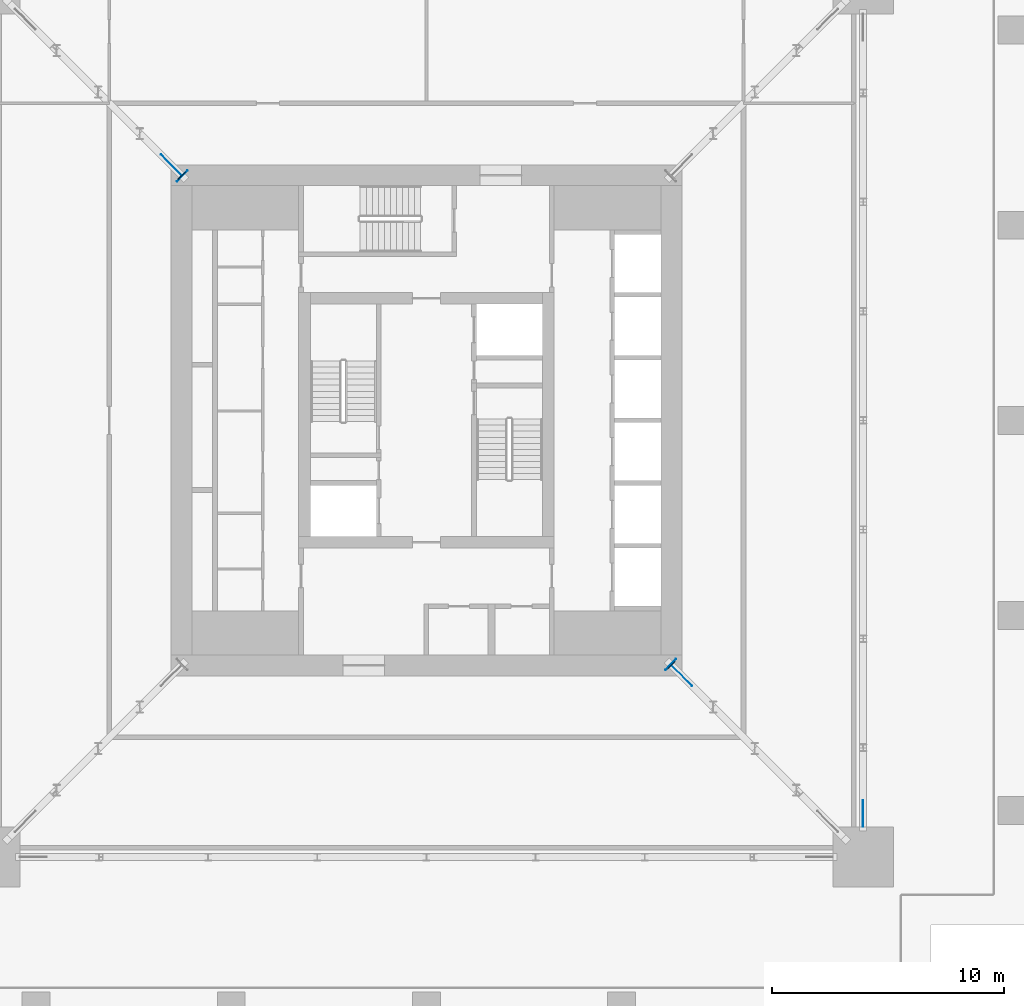
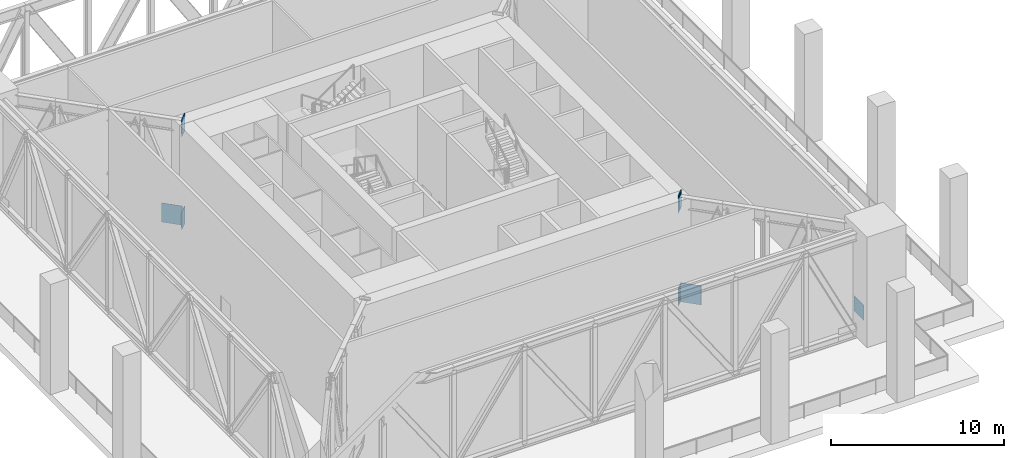
# One storey, part 8 of 17: 11 plates.
"""IFC4 building model written with IfcOpenShell, lengths in metres."""

from ifc_helpers import new_model, si_unit, direction, frame, origin, origin_2d, place, context, subcontext, project, spatial, rectangle, extrude, material, layer, layer_set, type_object, element, save


model = new_model("IFC4")

# Units and contexts
model_context = context("Model", 3, precision=1e-05, world=origin(), true_north=direction((0.0, 1.0)))
body_context = subcontext(model_context, "Body", "Model", "MODEL_VIEW")
ifc_project = project(units=[si_unit("LENGTHUNIT", "METRE"), si_unit("AREAUNIT", "SQUARE_METRE"), si_unit("VOLUMEUNIT", "CUBIC_METRE"), si_unit("PLANEANGLEUNIT", "RADIAN"), si_unit("MASSUNIT", "GRAM", prefix="KILO")], contexts=[model_context])

# Site, building, storey
site_placement = place(None, origin())
site = spatial("IfcSite", under=ifc_project, at=site_placement, CompositionType="ELEMENT")
building_placement = place(site_placement, origin())
building = spatial("IfcBuilding", under=site, at=building_placement, Name="Khepri Terraces", CompositionType="ELEMENT")
storey_placement = place(building_placement, frame((0.0, 0.0, 180.60009765625)))
storey = spatial("IfcBuildingStorey", under=building, at=storey_placement, Name="L43", CompositionType="ELEMENT", Elevation=180.60009765625)

# Plates
ifc_material = material(Name="Steel S355", Category="steel")
ifc_layer_1 = layer(ifc_material, 0.030029296875, Name="Steel S355", Category="steel")
ifc_layer_set_1 = layer_set([ifc_layer_1], Name="Steel S355")
plate_type_1 = type_object("IfcPlateType", Name="Cast-in plate 1250x650x30", PredefinedType="USERDEFINED", material=ifc_layer_set_1)
for number, where, z_axis, x_axis, name in (
    (1, (10.5146484375, -10.5146484375, -0.218017578125), (0.0, 0.0, 1.0), (0.707106781187, -0.707106781187, 0.0), "CAST-IN PLATE OT-43-ES BOT wall A"),
    (2, (10.5146484375, -10.5146484375, 6.347900390625), (0.0, 0.0, 1.0), (0.707106781187, -0.707106781187, 0.0), "CAST-IN PLATE OT-43-ES TOP wall A"),
    (3, (-10.5146484375, 10.5146484375, -0.218017578125), (0.0, 0.0, 1.0), (-0.707106781187, 0.707106781187, 0.0), "CAST-IN PLATE OT-43-WN BOT wall A"),
    (4, (-10.5146484375, 10.5146484375, 6.347900390625), (0.0, 0.0, 1.0), (-0.707106781187, 0.707106781187, 0.0), "CAST-IN PLATE OT-43-WN TOP wall A"),
):
    element("IfcPlate", number, at=place(storey_placement, frame(where, z_axis=z_axis, x_axis=x_axis)), inside=storey, type_object=plate_type_1, Name=name, ObjectType="CAST-IN PLATE", PredefinedType="USERDEFINED", context=body_context, shape_type="SweptSolid", body=[
        extrude(rectangle(XDim=0.030029296875, YDim=0.64990234375, at=origin_2d()), origin(), (0.0, 0.0, 1.0), 1.25),
    ])
ifc_layer_2 = layer(ifc_material, 0.034912109375, Name="Steel S355", Category="steel")
ifc_layer_set_2 = layer_set([ifc_layer_2], Name="Steel S355")
plate_type_2 = type_object("IfcPlateType", Name="End plate 950x450x35", PredefinedType="USERDEFINED", material=ifc_layer_set_2)
for number, where, z_axis, x_axis, name in (
    (5, (10.53759765625, -10.53759765625, -0.06787109375), (0.0, 0.0, 1.0), (0.707106781187, -0.707106781187, 0.0), "END PLATE OT-43-ES BOT end A"),
    (6, (10.53759765625, -10.53759765625, 6.498046875), (0.0, 0.0, 1.0), (0.707106781187, -0.707106781187, 0.0), "END PLATE OT-43-ES TOP end A"),
    (7, (-10.53759765625, 10.53759765625, -0.06787109375), (0.0, 0.0, 1.0), (-0.707106781187, 0.707106781187, 0.0), "END PLATE OT-43-WN BOT end A"),
    (8, (-10.53759765625, 10.53759765625, 6.498046875), (0.0, 0.0, 1.0), (-0.707106781187, 0.707106781187, 0.0), "END PLATE OT-43-WN TOP end A"),
):
    element("IfcPlate", number, at=place(storey_placement, frame(where, z_axis=z_axis, x_axis=x_axis)), inside=storey, type_object=plate_type_2, Name=name, ObjectType="END PLATE", PredefinedType="USERDEFINED", context=body_context, shape_type="SweptSolid", body=[
        extrude(rectangle(XDim=0.034912109375, YDim=0.449951171875, at=origin_2d()), origin(), (0.0, 0.0, 1.0), 0.949951171875),
    ])
ifc_layer_3 = layer(ifc_material, 0.02490234375, Name="Steel S355", Category="steel")
ifc_layer_set_3 = layer_set([ifc_layer_3], Name="Steel S355")
plate_type_3 = type_object("IfcPlateType", Name="Gusset plate 1150x1050x25", PredefinedType="USERDEFINED", material=ifc_layer_set_3)
plate_placement = place(storey_placement, frame((18.800048828125, -16.925048828125, -0.10009765625), z_axis=(0.0, 0.0, 1.0), x_axis=(0.0, 1.0, 0.0)))
element("IfcPlate", 9, at=plate_placement, inside=storey, type_object=plate_type_3, Name="GUSSET PLATE BT-43-E column node A", ObjectType="GUSSET PLATE", PredefinedType="USERDEFINED", context=body_context, shape_type="SweptSolid", body=[
    extrude(rectangle(XDim=1.14990234375, YDim=0.02490234375, at=origin_2d()), origin(), (0.0, 0.0, 1.0), 1.050048828125),
])
ifc_layer_4 = layer(ifc_material, 0.030029296875, Name="Steel S355", Category="steel")
ifc_layer_set_4 = layer_set([ifc_layer_4], Name="Steel S355")
plate_type_4 = type_object("IfcPlateType", Name="Gusset plate 1250x1350x30", PredefinedType="USERDEFINED", material=ifc_layer_set_4)
for number, where, z_axis, x_axis, name in (
    (10, (10.991943359375, -10.991943359375, -0.10009765625), (0.0, 0.0, 1.0), (0.707106781187, -0.707106781187, 0.0), "GUSSET PLATE OT-43-ES node A"),
    (11, (-10.991943359375, 10.991943359375, -0.10009765625), (0.0, 0.0, 1.0), (-0.707106781187, 0.707106781187, 0.0), "GUSSET PLATE OT-43-WN node A"),
):
    element("IfcPlate", number, at=place(storey_placement, frame(where, z_axis=z_axis, x_axis=x_axis)), inside=storey, type_object=plate_type_4, Name=name, ObjectType="GUSSET PLATE", PredefinedType="USERDEFINED", context=body_context, shape_type="SweptSolid", body=[
        extrude(rectangle(XDim=1.25, YDim=0.030029296875, at=origin_2d()), origin(), (0.0, 0.0, 1.0), 1.35009765625),
    ])

save(model, "model.ifc")
